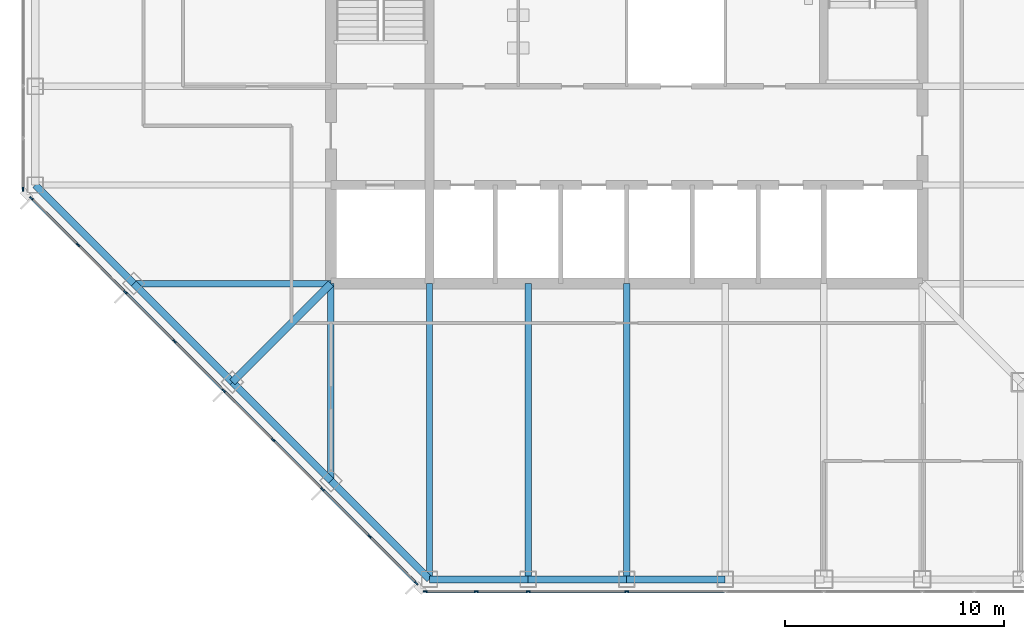
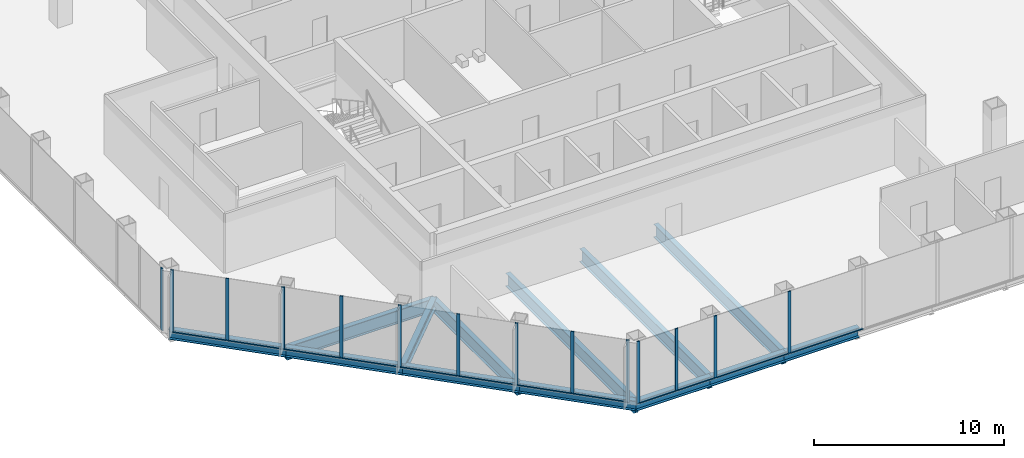
# One storey, part 2 of 12: 26 members, 13 beams, 3 elements without a shape of their own.
"""IFC4 building model written with IfcOpenShell, lengths in metres."""

from ifc_helpers import new_model, si_unit, direction, frame, origin, origin_2d, place, context, subcontext, project, spatial, rectangle, i_section, extrude, material, material_profile, profile_set, type_object, element, aggregate, save


model = new_model("IFC4")

# Units and contexts
model_context = context("Model", 3, precision=1e-05, world=origin(), true_north=direction((0.0, 1.0)))
body_context = subcontext(model_context, "Body", "Model", "MODEL_VIEW")
ifc_project = project(units=[si_unit("LENGTHUNIT", "METRE"), si_unit("AREAUNIT", "SQUARE_METRE"), si_unit("VOLUMEUNIT", "CUBIC_METRE"), si_unit("PLANEANGLEUNIT", "RADIAN"), si_unit("MASSUNIT", "GRAM", prefix="KILO")], contexts=[model_context])

# Site, building, storey
site_placement = place(None, origin())
site = spatial("IfcSite", under=ifc_project, at=site_placement, CompositionType="ELEMENT")
building_placement = place(site_placement, origin())
building = spatial("IfcBuilding", under=site, at=building_placement, Name="Corais Broadcast Tower", CompositionType="ELEMENT")
storey_placement = place(building_placement, frame((0.0, 0.0, 131.60009765625)))
storey = spatial("IfcBuildingStorey", under=building, at=storey_placement, Name="L29", CompositionType="ELEMENT", Elevation=131.60009765625)

# Beams
ifc_material_1 = material(Name="Steel ASTM A572 Grade 50", Category="steel")
ifc_material_profile_1 = material_profile(ifc_material_1, i_section(OverallWidth=0.323974609375, OverallDepth=0.611083984375, WebThickness=0.0126953125, FlangeThickness=0.01904296875, at=origin_2d()), Name="W610x155")
ifc_profile_set_1 = profile_set([ifc_material_profile_1], Name="Steel ASTM A572 Grade 50")
beam_type_1 = type_object("IfcBeamType", Name="Corner diagonal W610x155", PredefinedType="BEAM", material=ifc_profile_set_1)
beam_1_placement = place(storey_placement, frame((9.0, 9.0, -0.465576171875), z_axis=(0.707106781187, 0.707106781187, 0.0), x_axis=(-0.707106781187, 0.707106781187, 0.0)))
element("IfcBeam", 1, at=beam_1_placement, inside=storey, type_object=beam_type_1, Name="B6 C/5 to D/6", PredefinedType="BEAM", context=body_context, shape_type="SweptSolid", body=[
    extrude(i_section(OverallWidth=0.323974609375, OverallDepth=0.611083984375, WebThickness=0.0126953125, FlangeThickness=0.01904296875, at=origin_2d()), origin(), (0.0, 0.0, 1.0), 6.364013671875),
])
ifc_material_2 = material(Name="Steel ASTM A572 Grade 50", Category="steel")
ifc_material_profile_2 = material_profile(ifc_material_2, i_section(OverallWidth=0.2939453125, OverallDepth=0.85107421875, WebThickness=0.01611328125, FlangeThickness=0.02685546875, at=origin_2d()), Name="W840x226")
ifc_profile_set_2 = profile_set([ifc_material_profile_2], Name="Steel ASTM A572 Grade 50")
beam_type_2 = type_object("IfcBeamType", Name="Floor beam W840x226", PredefinedType="BEAM", material=ifc_profile_set_2)
beam_2_placement = place(storey_placement, frame((13.5, 4.5, -0.585693359375), z_axis=(0.0, 1.0, 0.0), x_axis=(-1.0, 0.0, 0.0)))
element("IfcBeam", 2, at=beam_2_placement, inside=storey, type_object=beam_type_2, Name="B1 B/6 to D/6", PredefinedType="BEAM", context=body_context, shape_type="SweptSolid", body=[
    extrude(i_section(OverallWidth=0.2939453125, OverallDepth=0.85107421875, WebThickness=0.01611328125, FlangeThickness=0.02685546875, at=origin_2d()), origin(), (0.0, 0.0, 1.0), 9.0),
])
for number, where, z_axis, x_axis, name in (
    (3, (18.0, 0.0, -0.585693359375), (0.0, 1.0, 0.0), (-1.0, 0.0, 0.0), "B1 A/7 to D/7"),
    (4, (22.5, 0.0, -0.585693359375), (0.0, 1.0, 0.0), (-1.0, 0.0, 0.0), "B1 A/8 to D/8"),
    (5, (27.0, 0.0, -0.585693359375), (0.0, 1.0, 0.0), (-1.0, 0.0, 0.0), "B1 A/9 to D/9"),
):
    element("IfcBeam", number, at=place(storey_placement, frame(where, z_axis=z_axis, x_axis=x_axis)), inside=storey, type_object=beam_type_2, Name=name, PredefinedType="BEAM", context=body_context, shape_type="SweptSolid", body=[
        extrude(i_section(OverallWidth=0.2939453125, OverallDepth=0.85107421875, WebThickness=0.01611328125, FlangeThickness=0.02685546875, at=origin_2d()), origin(), (0.0, 0.0, 1.0), 13.5),
    ])
beam_3_placement = place(storey_placement, frame((4.5, 13.5, -0.585693359375), z_axis=(1.0, 0.0, 0.0), x_axis=(0.0, 1.0, 0.0)))
element("IfcBeam", 6, at=beam_3_placement, inside=storey, type_object=beam_type_2, Name="B1 D/4 to D/6", PredefinedType="BEAM", context=body_context, shape_type="SweptSolid", body=[
    extrude(i_section(OverallWidth=0.2939453125, OverallDepth=0.85107421875, WebThickness=0.01611328125, FlangeThickness=0.02685546875, at=origin_2d()), origin(), (0.0, 0.0, 1.0), 9.0),
])

# Curtain wall, members
ifc_material_3 = material(Name="Aluminium and glass", Category="aluminium")
curtain_wall_type = type_object("IfcCurtainWallType", Name="Unitised fritted curtain wall CW2", PredefinedType="NOTDEFINED", material=ifc_material_3)
curtain_wall_1_placement = place(storey_placement, origin())
curtain_wall_1 = element("IfcCurtainWall", 7, at=curtain_wall_1_placement, inside=storey, type_object=curtain_wall_type, Name="CW2 curtain wall L29 1", PredefinedType="NOTDEFINED")
ifc_material_4 = material(Name="Aluminium 6063-T6", Category="aluminium")
ifc_material_profile_3 = material_profile(ifc_material_4, rectangle(XDim=0.06494140625, YDim=0.179931640625, at=origin_2d()), Name="Mullion CW2 65x180")
ifc_profile_set_3 = profile_set([ifc_material_profile_3], Name="Aluminium 6063-T6")
member_type_1 = type_object("IfcMemberType", Name="Mullion CW2 65x180", PredefinedType="MULLION", material=ifc_profile_set_3)
member_1_placement = place(storey_placement, frame((17.3955078125, -0.17333984375, 0.0), z_axis=(0.0, 0.0, 1.0), x_axis=(-0.707106781187, -0.707106781187, 0.0)))
member_1 = element("IfcMember", 8, at=member_1_placement, type_object=member_type_1, Name="CW2 mullion 1", PredefinedType="MULLION", context=body_context, shape_type="SweptSolid", body=[
    extrude(rectangle(XDim=0.06494140625, YDim=0.179931640625, at=origin_2d()), origin(), (0.0, 0.0, 1.0), 4.0),
])
member_2_placement = place(storey_placement, frame((15.264892578125, 1.957275390625, 0.0), z_axis=(0.0, 0.0, 1.0), x_axis=(-0.707106781187, -0.707106781187, 0.0)))
member_2 = element("IfcMember", 9, at=member_2_placement, type_object=member_type_1, Name="CW2 mullion 2", PredefinedType="MULLION", context=body_context, shape_type="SweptSolid", body=[
    extrude(rectangle(XDim=0.06494140625, YDim=0.179931640625, at=origin_2d()), origin(), (0.0, 0.0, 1.0), 4.0),
])
member_3_placement = place(storey_placement, frame((13.111083984375, 4.111083984375, 0.0), z_axis=(0.0, 0.0, 1.0), x_axis=(-0.707106781187, -0.707106781187, 0.0)))
member_3 = element("IfcMember", 10, at=member_3_placement, type_object=member_type_1, Name="CW2 mullion 3", PredefinedType="MULLION", context=body_context, shape_type="SweptSolid", body=[
    extrude(rectangle(XDim=0.06494140625, YDim=0.179931640625, at=origin_2d()), origin(), (0.0, 0.0, 1.0), 4.0),
])
member_4_placement = place(storey_placement, frame((10.861083984375, 6.361083984375, 0.0), z_axis=(0.0, 0.0, 1.0), x_axis=(-0.707106781187, -0.707106781187, 0.0)))
member_4 = element("IfcMember", 11, at=member_4_placement, type_object=member_type_1, Name="CW2 mullion 4", PredefinedType="MULLION", context=body_context, shape_type="SweptSolid", body=[
    extrude(rectangle(XDim=0.06494140625, YDim=0.179931640625, at=origin_2d()), origin(), (0.0, 0.0, 1.0), 4.0),
])
member_5_placement = place(storey_placement, frame((8.611083984375, 8.611083984375, 0.0), z_axis=(0.0, 0.0, 1.0), x_axis=(-0.707106781187, -0.707106781187, 0.0)))
member_5 = element("IfcMember", 12, at=member_5_placement, type_object=member_type_1, Name="CW2 mullion 5", PredefinedType="MULLION", context=body_context, shape_type="SweptSolid", body=[
    extrude(rectangle(XDim=0.06494140625, YDim=0.179931640625, at=origin_2d()), origin(), (0.0, 0.0, 1.0), 4.0),
])
member_6_placement = place(storey_placement, frame((6.361083984375, 10.861083984375, 0.0), z_axis=(0.0, 0.0, 1.0), x_axis=(-0.707106781187, -0.707106781187, 0.0)))
member_6 = element("IfcMember", 13, at=member_6_placement, type_object=member_type_1, Name="CW2 mullion 6", PredefinedType="MULLION", context=body_context, shape_type="SweptSolid", body=[
    extrude(rectangle(XDim=0.06494140625, YDim=0.179931640625, at=origin_2d()), origin(), (0.0, 0.0, 1.0), 4.0),
])
member_7_placement = place(storey_placement, frame((4.111083984375, 13.111083984375, 0.0), z_axis=(0.0, 0.0, 1.0), x_axis=(-0.707106781187, -0.707106781187, 0.0)))
member_7 = element("IfcMember", 14, at=member_7_placement, type_object=member_type_1, Name="CW2 mullion 7", PredefinedType="MULLION", context=body_context, shape_type="SweptSolid", body=[
    extrude(rectangle(XDim=0.06494140625, YDim=0.179931640625, at=origin_2d()), origin(), (0.0, 0.0, 1.0), 4.0),
])
member_8_placement = place(storey_placement, frame((1.957275390625, 15.264892578125, 0.0), z_axis=(0.0, 0.0, 1.0), x_axis=(-0.707106781187, -0.707106781187, 0.0)))
member_8 = element("IfcMember", 15, at=member_8_placement, type_object=member_type_1, Name="CW2 mullion 8", PredefinedType="MULLION", context=body_context, shape_type="SweptSolid", body=[
    extrude(rectangle(XDim=0.06494140625, YDim=0.179931640625, at=origin_2d()), origin(), (0.0, 0.0, 1.0), 4.0),
])
member_9_placement = place(storey_placement, frame((-0.17333984375, 17.3955078125, 0.0), z_axis=(0.0, 0.0, 1.0), x_axis=(-0.707106781187, -0.707106781187, 0.0)))
member_9 = element("IfcMember", 16, at=member_9_placement, type_object=member_type_1, Name="CW2 mullion 9", PredefinedType="MULLION", context=body_context, shape_type="SweptSolid", body=[
    extrude(rectangle(XDim=0.06494140625, YDim=0.179931640625, at=origin_2d()), origin(), (0.0, 0.0, 1.0), 4.0),
])

# Curtain wall, member
curtain_wall_2_placement = place(storey_placement, origin())
curtain_wall_2 = element("IfcCurtainWall", 17, at=curtain_wall_2_placement, inside=storey, type_object=curtain_wall_type, Name="CW2 curtain wall L29 2", PredefinedType="NOTDEFINED")
member_10_placement = place(storey_placement, frame((-0.550048828125, 17.8046875, 0.0), z_axis=(0.0, 0.0, 1.0), x_axis=(-1.0, 0.0, 0.0)))
member_10 = element("IfcMember", 18, at=member_10_placement, type_object=member_type_1, Name="CW2 mullion 1", PredefinedType="MULLION", context=body_context, shape_type="SweptSolid", body=[
    extrude(rectangle(XDim=0.06494140625, YDim=0.179931640625, at=origin_2d()), origin(), (0.0, 0.0, 1.0), 4.0),
])
aggregate(curtain_wall_2, [member_10])

# Curtain wall, members
curtain_wall_3_placement = place(storey_placement, origin())
curtain_wall_3 = element("IfcCurtainWall", 19, at=curtain_wall_3_placement, inside=storey, type_object=curtain_wall_type, Name="CW2 curtain wall L29 8", PredefinedType="NOTDEFINED")
member_11_placement = place(storey_placement, frame((27.0, -0.550048828125, 0.0), z_axis=(0.0, 0.0, 1.0), x_axis=(0.0, -1.0, 0.0)))
member_11 = element("IfcMember", 20, at=member_11_placement, type_object=member_type_1, Name="CW2 mullion 6", PredefinedType="MULLION", context=body_context, shape_type="SweptSolid", body=[
    extrude(rectangle(XDim=0.06494140625, YDim=0.179931640625, at=origin_2d()), origin(), (0.0, 0.0, 1.0), 4.0),
])
member_12_placement = place(storey_placement, frame((22.5, -0.550048828125, 0.0), z_axis=(0.0, 0.0, 1.0), x_axis=(0.0, -1.0, 0.0)))
member_12 = element("IfcMember", 21, at=member_12_placement, type_object=member_type_1, Name="CW2 mullion 7", PredefinedType="MULLION", context=body_context, shape_type="SweptSolid", body=[
    extrude(rectangle(XDim=0.06494140625, YDim=0.179931640625, at=origin_2d()), origin(), (0.0, 0.0, 1.0), 4.0),
])
member_13_placement = place(storey_placement, frame((20.135986328125, -0.550048828125, 0.0), z_axis=(0.0, 0.0, 1.0), x_axis=(0.0, -1.0, 0.0)))
member_13 = element("IfcMember", 22, at=member_13_placement, type_object=member_type_1, Name="CW2 mullion 8", PredefinedType="MULLION", context=body_context, shape_type="SweptSolid", body=[
    extrude(rectangle(XDim=0.06494140625, YDim=0.179931640625, at=origin_2d()), origin(), (0.0, 0.0, 1.0), 4.0),
])
member_14_placement = place(storey_placement, frame((17.8046875, -0.550048828125, 0.0), z_axis=(0.0, 0.0, 1.0), x_axis=(0.0, -1.0, 0.0)))
member_14 = element("IfcMember", 23, at=member_14_placement, type_object=member_type_1, Name="CW2 mullion 9", PredefinedType="MULLION", context=body_context, shape_type="SweptSolid", body=[
    extrude(rectangle(XDim=0.06494140625, YDim=0.179931640625, at=origin_2d()), origin(), (0.0, 0.0, 1.0), 4.0),
])

# Beams
ifc_material_5 = material(Name="Steel ASTM A572 Grade 50", Category="steel")
ifc_material_profile_4 = material_profile(ifc_material_5, i_section(OverallWidth=0.3291015625, OverallDepth=0.635009765625, WebThickness=0.017822265625, FlangeThickness=0.031005859375, at=origin_2d()), Name="W610x241")
ifc_profile_set_4 = profile_set([ifc_material_profile_4], Name="Steel ASTM A572 Grade 50")
beam_type_3 = type_object("IfcBeamType", Name="Spandrel W610x241", PredefinedType="BEAM", material=ifc_profile_set_4)
for number, where, z_axis, x_axis, name in (
    (24, (0.0, 18.0, -0.4775390625), (0.707106781187, -0.707106781187, 0.0), (0.707106781187, 0.707106781187, 0.0), "SB1 E/3 to D/4"),
    (25, (13.5, 4.5, -0.4775390625), (0.707106781187, -0.707106781187, 0.0), (0.707106781187, 0.707106781187, 0.0), "SB1 B/6 to A/7"),
):
    element("IfcBeam", number, at=place(storey_placement, frame(where, z_axis=z_axis, x_axis=x_axis)), inside=storey, type_object=beam_type_3, Name=name, PredefinedType="BEAM", context=body_context, shape_type="SweptSolid", body=[
        extrude(i_section(OverallWidth=0.3291015625, OverallDepth=0.635009765625, WebThickness=0.017822265625, FlangeThickness=0.031005859375, at=origin_2d()), origin(), (0.0, 0.0, 1.0), 6.364013671875),
    ])
for number, where, z_axis, x_axis, name in (
    (26, (18.0, 0.0, -0.4775390625), (1.0, 0.0, 0.0), (0.0, 1.0, 0.0), "SB1 A/7 to A/8"),
    (27, (22.5, 0.0, -0.4775390625), (1.0, 0.0, 0.0), (0.0, 1.0, 0.0), "SB1 A/8 to A/9"),
    (28, (27.0, 0.0, -0.4775390625), (1.0, 0.0, 0.0), (0.0, 1.0, 0.0), "SB1 A/9 to A/10"),
):
    element("IfcBeam", number, at=place(storey_placement, frame(where, z_axis=z_axis, x_axis=x_axis)), inside=storey, type_object=beam_type_3, Name=name, PredefinedType="BEAM", context=body_context, shape_type="SweptSolid", body=[
        extrude(i_section(OverallWidth=0.3291015625, OverallDepth=0.635009765625, WebThickness=0.017822265625, FlangeThickness=0.031005859375, at=origin_2d()), origin(), (0.0, 0.0, 1.0), 4.5),
    ])
for number, where, z_axis, x_axis, name in (
    (29, (4.5, 13.5, -0.4775390625), (0.707106781187, -0.707106781187, 0.0), (0.707106781187, 0.707106781187, 0.0), "SB1 D/4 to C/5"),
    (30, (9.0, 9.0, -0.4775390625), (0.707106781187, -0.707106781187, 0.0), (0.707106781187, 0.707106781187, 0.0), "SB1 C/5 to B/6"),
):
    element("IfcBeam", number, at=place(storey_placement, frame(where, z_axis=z_axis, x_axis=x_axis)), inside=storey, type_object=beam_type_3, Name=name, PredefinedType="BEAM", context=body_context, shape_type="SweptSolid", body=[
        extrude(i_section(OverallWidth=0.3291015625, OverallDepth=0.635009765625, WebThickness=0.017822265625, FlangeThickness=0.031005859375, at=origin_2d()), origin(), (0.0, 0.0, 1.0), 6.364013671875),
    ])

# Member
ifc_material_6 = material(Name="Aluminium 6063-T6", Category="aluminium")
ifc_material_profile_5 = material_profile(ifc_material_6, rectangle(XDim=0.1298828125, YDim=0.06494140625, at=origin_2d()), Name="Transom CW2 65x130")
ifc_profile_set_5 = profile_set([ifc_material_profile_5], Name="Aluminium 6063-T6")
member_type_2 = type_object("IfcMemberType", Name="Transom CW2 65x130", PredefinedType="USERDEFINED", material=ifc_profile_set_5)
member_15_placement = place(storey_placement, frame((17.37255859375, -0.150390625, 0.032470703125), z_axis=(-0.707106781187, 0.707106781187, 0.0), x_axis=(-0.707106781187, -0.707106781187, 0.0)))
member_15 = element("IfcMember", 31, at=member_15_placement, type_object=member_type_2, Name="CW2 transom 1.1", ObjectType="TRANSOM", PredefinedType="USERDEFINED", context=body_context, shape_type="SweptSolid", body=[
    extrude(rectangle(XDim=0.1298828125, YDim=0.06494140625, at=origin_2d()), origin(), (0.0, 0.0, 1.0), 2.9482421875),
])

member_16_placement = place(storey_placement, frame((15.241943359375, 1.980224609375, 0.032470703125), z_axis=(-0.707106781187, 0.707106781187, 0.0), x_axis=(-0.707106781187, -0.707106781187, 0.0)))
member_16 = element("IfcMember", 32, at=member_16_placement, type_object=member_type_2, Name="CW2 transom 2.1", ObjectType="TRANSOM", PredefinedType="USERDEFINED", context=body_context, shape_type="SweptSolid", body=[
    extrude(rectangle(XDim=0.1298828125, YDim=0.06494140625, at=origin_2d()), origin(), (0.0, 0.0, 1.0), 2.98095703125),
])

member_17_placement = place(storey_placement, frame((13.088134765625, 4.134033203125, 0.032470703125), z_axis=(-0.707106781187, 0.707106781187, 0.0), x_axis=(-0.707106781187, -0.707106781187, 0.0)))
member_17 = element("IfcMember", 33, at=member_17_placement, type_object=member_type_2, Name="CW2 transom 3.1", ObjectType="TRANSOM", PredefinedType="USERDEFINED", context=body_context, shape_type="SweptSolid", body=[
    extrude(rectangle(XDim=0.1298828125, YDim=0.06494140625, at=origin_2d()), origin(), (0.0, 0.0, 1.0), 3.1171875),
])

member_18_placement = place(storey_placement, frame((10.838134765625, 6.384033203125, 0.032470703125), z_axis=(-0.707106781187, 0.707106781187, 0.0), x_axis=(-0.707106781187, -0.707106781187, 0.0)))
member_18 = element("IfcMember", 34, at=member_18_placement, type_object=member_type_2, Name="CW2 transom 4.1", ObjectType="TRANSOM", PredefinedType="USERDEFINED", context=body_context, shape_type="SweptSolid", body=[
    extrude(rectangle(XDim=0.1298828125, YDim=0.06494140625, at=origin_2d()), origin(), (0.0, 0.0, 1.0), 3.1171875),
])

member_19_placement = place(storey_placement, frame((8.588134765625, 8.634033203125, 0.032470703125), z_axis=(-0.707106781187, 0.707106781187, 0.0), x_axis=(-0.707106781187, -0.707106781187, 0.0)))
member_19 = element("IfcMember", 35, at=member_19_placement, type_object=member_type_2, Name="CW2 transom 5.1", ObjectType="TRANSOM", PredefinedType="USERDEFINED", context=body_context, shape_type="SweptSolid", body=[
    extrude(rectangle(XDim=0.1298828125, YDim=0.06494140625, at=origin_2d()), origin(), (0.0, 0.0, 1.0), 3.1171875),
])

member_20_placement = place(storey_placement, frame((6.338134765625, 10.884033203125, 0.032470703125), z_axis=(-0.707106781187, 0.707106781187, 0.0), x_axis=(-0.707106781187, -0.707106781187, 0.0)))
member_20 = element("IfcMember", 36, at=member_20_placement, type_object=member_type_2, Name="CW2 transom 6.1", ObjectType="TRANSOM", PredefinedType="USERDEFINED", context=body_context, shape_type="SweptSolid", body=[
    extrude(rectangle(XDim=0.1298828125, YDim=0.06494140625, at=origin_2d()), origin(), (0.0, 0.0, 1.0), 3.1171875),
])

member_21_placement = place(storey_placement, frame((4.088134765625, 13.134033203125, 0.032470703125), z_axis=(-0.707065828661, 0.70714773134, 0.0), x_axis=(-0.70714773134, -0.707065828661, 0.0)))
member_21 = element("IfcMember", 37, at=member_21_placement, type_object=member_type_2, Name="CW2 transom 7.1", ObjectType="TRANSOM", PredefinedType="USERDEFINED", context=body_context, shape_type="SweptSolid", body=[
    extrude(rectangle(XDim=0.1298828125, YDim=0.06494140625, at=origin_2d()), origin(), (0.0, 0.0, 1.0), 2.98095703125),
])

member_22_placement = place(storey_placement, frame((1.934326171875, 15.287841796875, 0.032470703125), z_axis=(-0.707106781187, 0.707106781187, 0.0), x_axis=(-0.707106781187, -0.707106781187, 0.0)))
member_22 = element("IfcMember", 38, at=member_22_placement, type_object=member_type_2, Name="CW2 transom 8.1", ObjectType="TRANSOM", PredefinedType="USERDEFINED", context=body_context, shape_type="SweptSolid", body=[
    extrude(rectangle(XDim=0.1298828125, YDim=0.06494140625, at=origin_2d()), origin(), (0.0, 0.0, 1.0), 2.9482421875),
])

aggregate(curtain_wall_1, [member_1, member_2, member_3, member_4, member_5, member_6, member_7, member_8, member_9, member_15, member_16, member_17, member_18, member_19, member_20, member_21, member_22])

member_23_placement = place(storey_placement, frame((31.467529296875, -0.550048828125, 0.032470703125), z_axis=(-1.0, 0.0, 0.0), x_axis=(0.0, -1.0, 0.0)))
member_23 = element("IfcMember", 39, at=member_23_placement, type_object=member_type_2, Name="CW2 transom 5.1", ObjectType="TRANSOM", PredefinedType="USERDEFINED", context=body_context, shape_type="SweptSolid", body=[
    extrude(rectangle(XDim=0.1298828125, YDim=0.06494140625, at=origin_2d()), origin(), (0.0, 0.0, 1.0), 4.43505859375),
])

member_24_placement = place(storey_placement, frame((26.967529296875, -0.550048828125, 0.032470703125), z_axis=(-1.0, 0.0, 0.0), x_axis=(0.0, -1.0, 0.0)))
member_24 = element("IfcMember", 40, at=member_24_placement, type_object=member_type_2, Name="CW2 transom 6.1", ObjectType="TRANSOM", PredefinedType="USERDEFINED", context=body_context, shape_type="SweptSolid", body=[
    extrude(rectangle(XDim=0.1298828125, YDim=0.06494140625, at=origin_2d()), origin(), (0.0, 0.0, 1.0), 4.43505859375),
])

member_25_placement = place(storey_placement, frame((22.467529296875, -0.550048828125, 0.032470703125), z_axis=(-1.0, 0.0, 0.0), x_axis=(0.0, -1.0, 0.0)))
member_25 = element("IfcMember", 41, at=member_25_placement, type_object=member_type_2, Name="CW2 transom 7.1", ObjectType="TRANSOM", PredefinedType="USERDEFINED", context=body_context, shape_type="SweptSolid", body=[
    extrude(rectangle(XDim=0.1298828125, YDim=0.06494140625, at=origin_2d()), origin(), (0.0, 0.0, 1.0), 2.298828125),
])

member_26_placement = place(storey_placement, frame((20.103515625, -0.550048828125, 0.032470703125), z_axis=(-1.0, 0.0, 0.0), x_axis=(0.0, -1.0, 0.0)))
member_26 = element("IfcMember", 42, at=member_26_placement, type_object=member_type_2, Name="CW2 transom 8.1", ObjectType="TRANSOM", PredefinedType="USERDEFINED", context=body_context, shape_type="SweptSolid", body=[
    extrude(rectangle(XDim=0.1298828125, YDim=0.06494140625, at=origin_2d()), origin(), (0.0, 0.0, 1.0), 2.266357421875),
])

aggregate(curtain_wall_3, [member_11, member_12, member_13, member_14, member_23, member_24, member_25, member_26])

save(model, "model.ifc")
